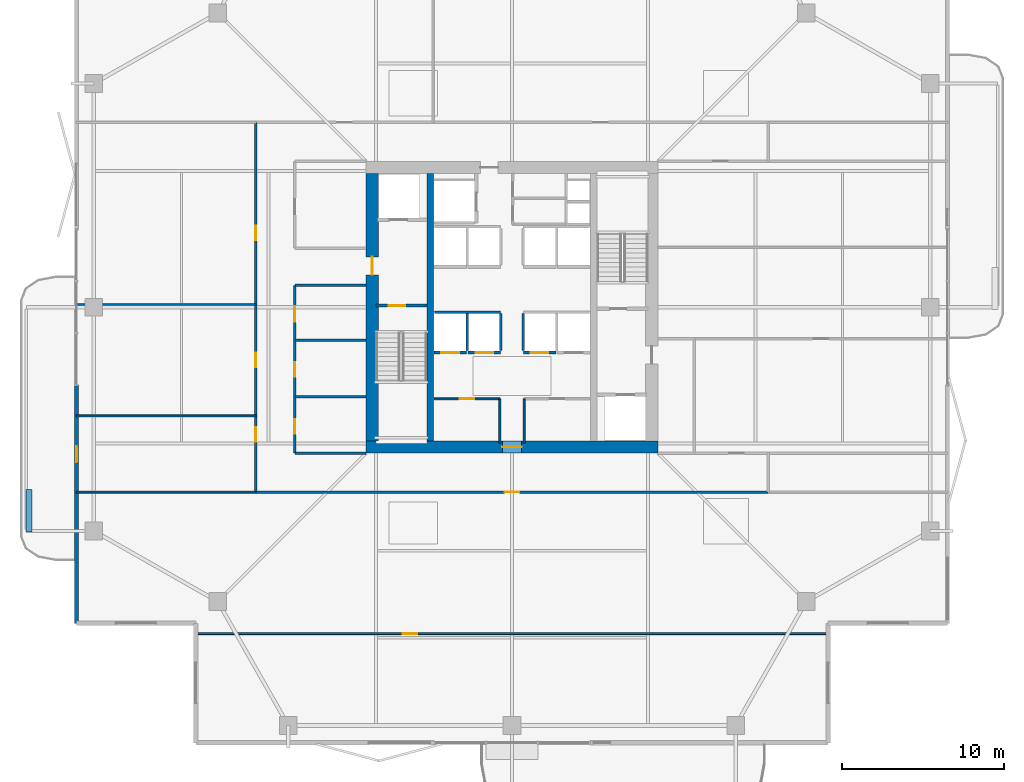
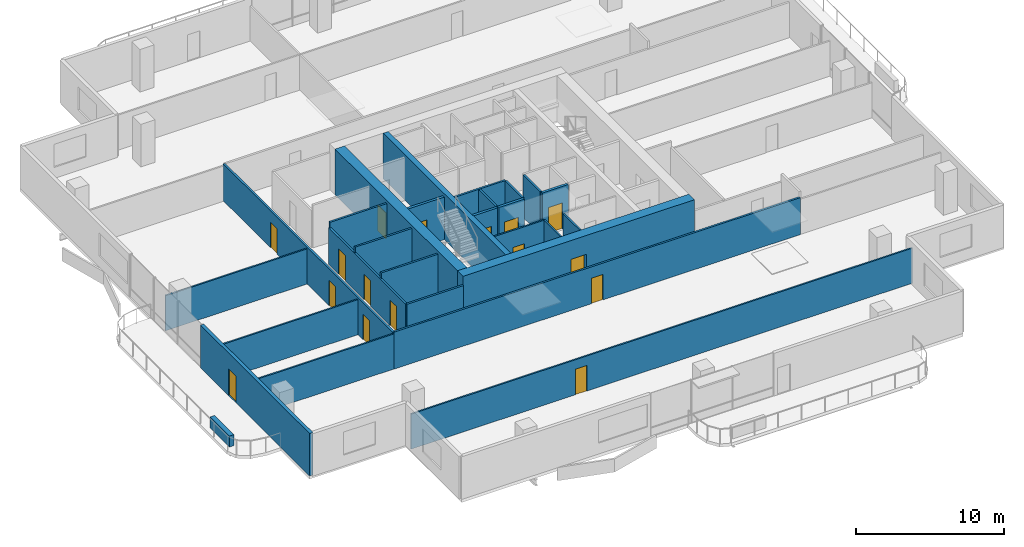
# One storey, part 17 of 24: 27 walls, 16 doors, 16 openings.
"""IFC4 building model written with IfcOpenShell, lengths in metres."""

from ifc_helpers import new_model, si_unit, direction, frame, frame_2d, origin, place, context, subcontext, project, spatial, rectangle, extrude, material, layer, layer_set, type_object, element, fill, save


model = new_model("IFC4")

# Units and contexts
model_context = context("Model", 3, precision=1e-05, world=origin(), true_north=direction((0.0, 1.0)))
body_context = subcontext(model_context, "Body", "Model", "MODEL_VIEW")
ifc_project = project(units=[si_unit("LENGTHUNIT", "METRE"), si_unit("AREAUNIT", "SQUARE_METRE"), si_unit("VOLUMEUNIT", "CUBIC_METRE"), si_unit("PLANEANGLEUNIT", "RADIAN"), si_unit("MASSUNIT", "GRAM", prefix="KILO")], contexts=[model_context])

# Site, building, storey
site_placement = place(None, origin())
site = spatial("IfcSite", under=ifc_project, at=site_placement, CompositionType="ELEMENT")
building_placement = place(site_placement, origin())
building = spatial("IfcBuilding", under=site, at=building_placement, Name="Belovzor Exchange Tower", CompositionType="ELEMENT")
storey_placement = place(building_placement, frame((0.0, 0.0, 222.449951171875)))
storey = spatial("IfcBuildingStorey", under=building, at=storey_placement, Name="L55", CompositionType="ELEMENT", Elevation=222.449951171875)

# Wall, opening, door
ifc_material_1 = material(Name="Acoustic Plasterboard on Galvanised Studs", Category="gypsum")
ifc_layer_1 = layer(ifc_material_1, 0.1201171875)
ifc_layer_set_1 = layer_set([ifc_layer_1], Name="Acoustic Plasterboard on Galvanised Studs")
wall_type_1 = type_object("IfcWallType", Name="Acoustic Double-Stud Partition Wall 120", PredefinedType="PARTITIONING", material=ifc_layer_set_1)
wall_1_placement = place(storey_placement, frame((9.300048828125, 8.6650390625, 0.0), z_axis=(0.0, 0.0, 1.0), x_axis=(1.0, 0.0, 0.0)))
wall_1 = element("IfcWall", 1, at=wall_1_placement, inside=storey, type_object=wall_type_1, Name="W-P120 Partition Wall W-L55-SHDIV-0", PredefinedType="PARTITIONING", context=body_context, shape_type="SweptSolid", body=[
    extrude(rectangle(XDim=39.0, YDim=0.1201171875, at=frame_2d((19.5, 0.0))), origin(), (0.0, 0.0, 1.0), 2.885009765625),
])
opening_1_placement = place(wall_1_placement, frame((12.76708984375, 0.0, 0.0)))
opening_1 = element("IfcOpeningElement", 2, at=opening_1_placement, cuts=wall_1, Name="Opening D-INT-090", PredefinedType="OPENING", context=body_context, shape_type="SweptSolid", body=[
    extrude(rectangle(XDim=0.89990234375, YDim=2.10009765625, at=frame_2d((0.449951171875, 1.050048828125))), frame((0.0, 0.070068359375, 0.0), z_axis=(0.0, -1.0, 0.0), x_axis=(1.0, 0.0, 0.0)), (0.0, 0.0, 1.0), 0.14013671875),
])
ifc_material_2 = material(Name="Veneered Hardwood Acoustic Leaf", Category="wood")
door_type_1 = type_object("IfcDoorType", Name="Trading Suite Acoustic Single Door 900x2100", OperationType="NOTDEFINED", PredefinedType="DOOR", material=ifc_material_2)
door_1_placement = place(opening_1_placement, origin())
door_1 = element("IfcDoor", 3, at=door_1_placement, inside=storey, type_object=door_type_1, Name="D-INT-090 Trading Suite Acoustic Single Door 900x2100", OperationType="SINGLE_SWING_LEFT", OverallHeight=2.10009765625, OverallWidth=0.89990234375, PredefinedType="DOOR", context=body_context, shape_type="SweptSolid", body=[
    extrude(rectangle(XDim=0.89990234375, YDim=2.10009765625, at=frame_2d((0.449951171875, 1.050048828125))), frame((0.0, 0.02490234375, 0.0), z_axis=(0.0, -1.0, 0.0), x_axis=(1.0, 0.0, 0.0)), (0.0, 0.0, 1.0), 0.050048828125),
])
fill(opening_1, door_1)

# Walls
for number, where, z_axis, x_axis, name in (
    (4, (1.929931640625, 22.10009765625, 0.0), (0.0, 0.0, 1.0), (1.0, 0.0, 0.0), "W-P120 Partition Wall W-L55-WDIV-1"),
    (5, (1.929931640625, 28.968994140625, 0.0), (0.0, 0.0, 1.0), (1.0, 0.0, 0.0), "W-P120 Partition Wall W-L55-WDIV-2"),
    (6, (1.929931640625, 17.39990234375, 0.0), (0.0, 0.0, 1.0), (1.0, 0.0, 0.0), "W-P120 Partition Wall W-L55-END-SW"),
):
    element("IfcWall", number, at=place(storey_placement, frame(where, z_axis=z_axis, x_axis=x_axis)), inside=storey, type_object=wall_type_1, Name=name, PredefinedType="PARTITIONING", context=body_context, shape_type="SweptSolid", body=[
        extrude(rectangle(XDim=11.070068359375, YDim=0.1201171875, at=frame_2d((5.53515625, 0.0))), origin(), (0.0, 0.0, 1.0), 2.885009765625),
    ])

# Wall, opening, door
ifc_material_3 = material(Name="Fire-Rated Plasterboard on Galvanised Studs", Category="gypsum")
ifc_layer_2 = layer(ifc_material_3, 0.1201171875)
ifc_layer_set_2 = layer_set([ifc_layer_2], Name="Fire-Rated Plasterboard on Galvanised Studs")
wall_type_2 = type_object("IfcWallType", Name="Fire-Rated Double-Stud Partition Wall 120", PredefinedType="PARTITIONING", material=ifc_layer_set_2)
wall_2_placement = place(storey_placement, frame((24.0, 23.14990234375, 0.0), z_axis=(0.0, 0.0, 1.0), x_axis=(1.0, 0.0, 0.0)))
wall_2 = element("IfcWall", 7, at=wall_2_placement, inside=storey, type_object=wall_type_2, Name="W-P120F Partition Wall W-CRL-L55-WN", PredefinedType="PARTITIONING", context=body_context, shape_type="SweptSolid", body=[
    extrude(rectangle(XDim=4.050048828125, YDim=0.1201171875, at=frame_2d((2.02490234375, 0.0))), origin(), (0.0, 0.0, 1.0), 3.5),
])
opening_2_placement = place(wall_2_placement, frame((1.574951171875, 0.0, 0.0)))
opening_2 = element("IfcOpeningElement", 8, at=opening_2_placement, cuts=wall_2, Name="Opening D-FD60-090", PredefinedType="OPENING", context=body_context, shape_type="SweptSolid", body=[
    extrude(rectangle(XDim=0.89990234375, YDim=2.10009765625, at=frame_2d((0.449951171875, 1.050048828125))), frame((0.0, 0.070068359375, 0.0), z_axis=(0.0, -1.0, 0.0), x_axis=(1.0, 0.0, 0.0)), (0.0, 0.0, 1.0), 0.14013671875),
])
ifc_material_4 = material(Name="Acoustic Timber Fire Leaf", Category="wood")
door_type_2 = type_object("IfcDoorType", Name="Core Service & Restroom Fire Door 900x2100", OperationType="NOTDEFINED", PredefinedType="DOOR", material=ifc_material_4)
door_2_placement = place(opening_2_placement, origin())
door_2 = element("IfcDoor", 9, at=door_2_placement, inside=storey, type_object=door_type_2, Name="D-FD60-090 Core Service & Restroom Fire Door 900x2100", OperationType="SINGLE_SWING_LEFT", OverallHeight=2.10009765625, OverallWidth=0.89990234375, PredefinedType="DOOR", context=body_context, shape_type="SweptSolid", body=[
    extrude(rectangle(XDim=0.89990234375, YDim=2.10009765625, at=frame_2d((0.449951171875, 1.050048828125))), frame((0.0, 0.02490234375, 0.0), z_axis=(0.0, -1.0, 0.0), x_axis=(1.0, 0.0, 0.0)), (0.0, 0.0, 1.0), 0.050048828125),
])
fill(opening_2, door_2)

# Walls
for number, where, z_axis, x_axis, name in (
    (10, (28.050048828125, 20.39990234375, 0.0), (0.0, 0.0, 1.0), (0.0, 1.0, 0.0), "W-P120F Partition Wall W-CRL-L55-WE"),
    (11, (29.550048828125, 20.39990234375, 0.0), (0.0, 0.0, 1.0), (0.0, 1.0, 0.0), "W-P120F Partition Wall W-CRL-L55-EW"),
):
    element("IfcWall", number, at=place(storey_placement, frame(where, z_axis=z_axis, x_axis=x_axis)), inside=storey, type_object=wall_type_2, Name=name, PredefinedType="PARTITIONING", context=body_context, shape_type="SweptSolid", body=[
        extrude(rectangle(XDim=2.75, YDim=0.1201171875, at=frame_2d((1.375, 0.0))), origin(), (0.0, 0.0, 1.0), 3.5),
    ])
ifc_material_5 = material(Name="Fire-Rated Gypsum Block and Mineral Wool", Category="gypsum")
ifc_layer_3 = layer(ifc_material_5, 0.14990234375)
ifc_layer_set_3 = layer_set([ifc_layer_3], Name="Fire-Rated Gypsum Block and Mineral Wool")
wall_type_3 = type_object("IfcWallType", Name="Fire-Rated Gypsum Block Corridor Wall 150", PredefinedType="PARTITIONING", material=ifc_layer_set_3)
wall_3_placement = place(storey_placement, frame((15.39990234375, 19.800048828125, 0.0), z_axis=(0.0, 0.0, 1.0), x_axis=(1.0, 0.0, 0.0)))
element("IfcWall", 12, at=wall_3_placement, inside=storey, type_object=wall_type_3, Name="W-P150 Partition Wall W-L55-WIC-S", PredefinedType="PARTITIONING", context=body_context, shape_type="SweptSolid", body=[
    extrude(rectangle(XDim=4.400146484375, YDim=0.14990234375, at=frame_2d((2.2001953125, 0.0))), origin(), (0.0, 0.0, 1.0), 3.03515625),
])
for number, where, z_axis, x_axis, name in (
    (13, (15.39990234375, 23.27490234375, 0.0), (0.0, 0.0, 1.0), (1.0, 0.0, 0.0), "W-P150 Partition Wall W-L55-WIC-D1"),
    (14, (15.39990234375, 26.77490234375, 0.0), (0.0, 0.0, 1.0), (1.0, 0.0, 0.0), "W-P150 Partition Wall W-L55-WIC-D2"),
    (15, (15.39990234375, 30.14990234375, 0.0), (0.0, 0.0, 1.0), (1.0, 0.0, 0.0), "W-P150 Partition Wall W-L55-WIC-N"),
):
    element("IfcWall", number, at=place(storey_placement, frame(where, z_axis=z_axis, x_axis=x_axis)), inside=storey, type_object=wall_type_3, Name=name, PredefinedType="PARTITIONING", context=body_context, shape_type="SweptSolid", body=[
        extrude(rectangle(XDim=4.400146484375, YDim=0.14990234375, at=frame_2d((2.2001953125, 0.0))), origin(), (0.0, 0.0, 1.0), 3.5),
    ])

# Wall, openings, doors
wall_4_placement = place(storey_placement, frame((15.39990234375, 19.800048828125, 0.0), z_axis=(0.0, 0.0, 1.0), x_axis=(0.0, 1.0, 0.0)))
wall_4 = element("IfcWall", 16, at=wall_4_placement, inside=storey, type_object=wall_type_3, Name="W-P150 Partition Wall W-L55-WIE-S", PredefinedType="PARTITIONING", context=body_context, shape_type="SweptSolid", body=[
    extrude(rectangle(XDim=10.349853515625, YDim=0.14990234375, at=frame_2d((5.1748046875, 0.0))), origin(), (0.0, 0.0, 1.0), 3.03515625),
])
opening_3_placement = place(wall_4_placement, frame((1.199951171875, 0.0, 0.0)))
opening_3 = element("IfcOpeningElement", 17, at=opening_3_placement, cuts=wall_4, Name="Opening D-FD60-090", PredefinedType="OPENING", context=body_context, shape_type="SweptSolid", body=[
    extrude(rectangle(XDim=0.89990234375, YDim=2.10009765625, at=frame_2d((0.449951171875, 1.050048828125))), frame((0.0, 0.0849609375, 0.0), z_axis=(0.0, -1.0, 0.0), x_axis=(1.0, 0.0, 0.0)), (0.0, 0.0, 1.0), 0.169921875),
])
opening_4_placement = place(wall_4_placement, frame((4.699951171875, 0.0, 0.0)))
opening_4 = element("IfcOpeningElement", 18, at=opening_4_placement, cuts=wall_4, Name="Opening D-FD60-090", PredefinedType="OPENING", context=body_context, shape_type="SweptSolid", body=[
    extrude(rectangle(XDim=0.89990234375, YDim=2.10009765625, at=frame_2d((0.449951171875, 1.050048828125))), frame((0.0, 0.0849609375, 0.0), z_axis=(0.0, -1.0, 0.0), x_axis=(1.0, 0.0, 0.0)), (0.0, 0.0, 1.0), 0.169921875),
])
opening_5_placement = place(wall_4_placement, frame((8.10009765625, 0.0, 0.0)))
opening_5 = element("IfcOpeningElement", 19, at=opening_5_placement, cuts=wall_4, Name="Opening D-FD60-095", PredefinedType="OPENING", context=body_context, shape_type="SweptSolid", body=[
    extrude(rectangle(XDim=0.949951171875, YDim=2.10009765625, at=frame_2d((0.47509765625, 1.050048828125))), frame((0.0, 0.0849609375, 0.0), z_axis=(0.0, -1.0, 0.0), x_axis=(1.0, 0.0, 0.0)), (0.0, 0.0, 1.0), 0.169921875),
])
ifc_material_6 = material(Name="Moisture-Resistant Timber Fire Leaf", Category="wood")
door_type_3 = type_object("IfcDoorType", Name="Accessible Restroom Wide Fire Door 950x2100", OperationType="NOTDEFINED", PredefinedType="DOOR", material=ifc_material_6)
door_3_placement = place(opening_5_placement, origin())
door_3 = element("IfcDoor", 20, at=door_3_placement, inside=storey, type_object=door_type_3, Name="D-FD60-095 Accessible Restroom Wide Fire Door 950x2100", OperationType="SINGLE_SWING_LEFT", OverallHeight=2.10009765625, OverallWidth=0.949951171875, PredefinedType="DOOR", context=body_context, shape_type="SweptSolid", body=[
    extrude(rectangle(XDim=0.949951171875, YDim=2.10009765625, at=frame_2d((0.47509765625, 1.050048828125))), frame((0.0, 0.02490234375, 0.0), z_axis=(0.0, -1.0, 0.0), x_axis=(1.0, 0.0, 0.0)), (0.0, 0.0, 1.0), 0.050048828125),
])
fill(opening_5, door_3)
door_4_placement = place(opening_3_placement, origin())
door_4 = element("IfcDoor", 21, at=door_4_placement, inside=storey, type_object=door_type_2, Name="D-FD60-090 Core Service & Restroom Fire Door 900x2100", OperationType="SINGLE_SWING_LEFT", OverallHeight=2.10009765625, OverallWidth=0.89990234375, PredefinedType="DOOR", context=body_context, shape_type="SweptSolid", body=[
    extrude(rectangle(XDim=0.89990234375, YDim=2.10009765625, at=frame_2d((0.449951171875, 1.050048828125))), frame((0.0, 0.02490234375, 0.0), z_axis=(0.0, -1.0, 0.0), x_axis=(1.0, 0.0, 0.0)), (0.0, 0.0, 1.0), 0.050048828125),
])
fill(opening_3, door_4)
door_5_placement = place(opening_4_placement, origin())
door_5 = element("IfcDoor", 22, at=door_5_placement, inside=storey, type_object=door_type_2, Name="D-FD60-090 Core Service & Restroom Fire Door 900x2100", OperationType="SINGLE_SWING_RIGHT", OverallHeight=2.10009765625, OverallWidth=0.89990234375, PredefinedType="DOOR", context=body_context, shape_type="SweptSolid", body=[
    extrude(rectangle(XDim=0.89990234375, YDim=2.10009765625, at=frame_2d((0.449951171875, 1.050048828125))), frame((0.0, 0.02490234375, 0.0), z_axis=(0.0, -1.0, 0.0), x_axis=(1.0, 0.0, 0.0)), (0.0, 0.0, 1.0), 0.050048828125),
])
fill(opening_4, door_5)

# Wall, opening, door
wall_5_placement = place(storey_placement, frame((13.0, 17.39990234375, 0.0), z_axis=(0.0, 0.0, 1.0), x_axis=(1.0, 0.0, 0.0)))
wall_5 = element("IfcWall", 23, at=wall_5_placement, inside=storey, type_object=wall_type_3, Name="W-P150 Partition Wall W-L55-CS", PredefinedType="PARTITIONING", context=body_context, shape_type="SweptSolid", body=[
    extrude(rectangle(XDim=31.60009765625, YDim=0.14990234375, at=frame_2d((15.800048828125, 0.0))), origin(), (0.0, 0.0, 1.0), 3.03515625),
])
opening_6_placement = place(wall_5_placement, frame((15.35009765625, 0.0, 0.0)))
opening_6 = element("IfcOpeningElement", 24, at=opening_6_placement, cuts=wall_5, Name="Opening D-INT-090", PredefinedType="OPENING", context=body_context, shape_type="SweptSolid", body=[
    extrude(rectangle(XDim=0.89990234375, YDim=2.10009765625, at=frame_2d((0.449951171875, 1.050048828125))), frame((0.0, 0.0849609375, 0.0), z_axis=(0.0, -1.0, 0.0), x_axis=(1.0, 0.0, 0.0)), (0.0, 0.0, 1.0), 0.169921875),
])
door_6_placement = place(opening_6_placement, origin())
door_6 = element("IfcDoor", 25, at=door_6_placement, inside=storey, type_object=door_type_1, Name="D-INT-090 Trading Suite Acoustic Single Door 900x2100", OperationType="SINGLE_SWING_RIGHT", OverallHeight=2.10009765625, OverallWidth=0.89990234375, PredefinedType="DOOR", context=body_context, shape_type="SweptSolid", body=[
    extrude(rectangle(XDim=0.89990234375, YDim=2.10009765625, at=frame_2d((0.449951171875, 1.050048828125))), frame((0.0, 0.02490234375, 0.0), z_axis=(0.0, -1.0, 0.0), x_axis=(1.0, 0.0, 0.0)), (0.0, 0.0, 1.0), 0.050048828125),
])
fill(opening_6, door_6)

# Wall, openings, doors
wall_6_placement = place(storey_placement, frame((13.0, 17.39990234375, 0.0), z_axis=(0.0, 0.0, 1.0), x_axis=(0.0, 1.0, 0.0)))
wall_6 = element("IfcWall", 26, at=wall_6_placement, inside=storey, type_object=wall_type_3, Name="W-P150 Partition Wall W-L55-CWO", PredefinedType="PARTITIONING", context=body_context, shape_type="SweptSolid", body=[
    extrude(rectangle(XDim=22.800048828125, YDim=0.14990234375, at=frame_2d((11.39990234375, 0.0))), origin(), (0.0, 0.0, 1.0), 3.03515625),
])
opening_7_placement = place(wall_6_placement, frame((3.10009765625, 0.0, 0.0)))
opening_7 = element("IfcOpeningElement", 27, at=opening_7_placement, cuts=wall_6, Name="Opening D-INT-090", PredefinedType="OPENING", context=body_context, shape_type="SweptSolid", body=[
    extrude(rectangle(XDim=0.89990234375, YDim=2.10009765625, at=frame_2d((0.449951171875, 1.050048828125))), frame((0.0, 0.0849609375, 0.0), z_axis=(0.0, -1.0, 0.0), x_axis=(1.0, 0.0, 0.0)), (0.0, 0.0, 1.0), 0.169921875),
])
opening_8_placement = place(wall_6_placement, frame((7.68505859375, 0.0, 0.0)))
opening_8 = element("IfcOpeningElement", 28, at=opening_8_placement, cuts=wall_6, Name="Opening D-INT-090", PredefinedType="OPENING", context=body_context, shape_type="SweptSolid", body=[
    extrude(rectangle(XDim=0.89990234375, YDim=2.10009765625, at=frame_2d((0.449951171875, 1.050048828125))), frame((0.0, 0.0849609375, 0.0), z_axis=(0.0, -1.0, 0.0), x_axis=(1.0, 0.0, 0.0)), (0.0, 0.0, 1.0), 0.169921875),
])
opening_9_placement = place(wall_6_placement, frame((15.534912109375, 0.0, 0.0)))
opening_9 = element("IfcOpeningElement", 29, at=opening_9_placement, cuts=wall_6, Name="Opening D-INT-090", PredefinedType="OPENING", context=body_context, shape_type="SweptSolid", body=[
    extrude(rectangle(XDim=0.89990234375, YDim=2.10009765625, at=frame_2d((0.449951171875, 1.050048828125))), frame((0.0, 0.0849609375, 0.0), z_axis=(0.0, -1.0, 0.0), x_axis=(1.0, 0.0, 0.0)), (0.0, 0.0, 1.0), 0.169921875),
])
door_7_placement = place(opening_7_placement, origin())
door_7 = element("IfcDoor", 30, at=door_7_placement, inside=storey, type_object=door_type_1, Name="D-INT-090 Trading Suite Acoustic Single Door 900x2100", OperationType="SINGLE_SWING_LEFT", OverallHeight=2.10009765625, OverallWidth=0.89990234375, PredefinedType="DOOR", context=body_context, shape_type="SweptSolid", body=[
    extrude(rectangle(XDim=0.89990234375, YDim=2.10009765625, at=frame_2d((0.449951171875, 1.050048828125))), frame((0.0, 0.02490234375, 0.0), z_axis=(0.0, -1.0, 0.0), x_axis=(1.0, 0.0, 0.0)), (0.0, 0.0, 1.0), 0.050048828125),
])
fill(opening_7, door_7)
door_8_placement = place(opening_8_placement, origin())
door_8 = element("IfcDoor", 31, at=door_8_placement, inside=storey, type_object=door_type_1, Name="D-INT-090 Trading Suite Acoustic Single Door 900x2100", OperationType="SINGLE_SWING_LEFT", OverallHeight=2.10009765625, OverallWidth=0.89990234375, PredefinedType="DOOR", context=body_context, shape_type="SweptSolid", body=[
    extrude(rectangle(XDim=0.89990234375, YDim=2.10009765625, at=frame_2d((0.449951171875, 1.050048828125))), frame((0.0, 0.02490234375, 0.0), z_axis=(0.0, -1.0, 0.0), x_axis=(1.0, 0.0, 0.0)), (0.0, 0.0, 1.0), 0.050048828125),
])
fill(opening_8, door_8)
door_9_placement = place(opening_9_placement, origin())
door_9 = element("IfcDoor", 32, at=door_9_placement, inside=storey, type_object=door_type_1, Name="D-INT-090 Trading Suite Acoustic Single Door 900x2100", OperationType="SINGLE_SWING_LEFT", OverallHeight=2.10009765625, OverallWidth=0.89990234375, PredefinedType="DOOR", context=body_context, shape_type="SweptSolid", body=[
    extrude(rectangle(XDim=0.89990234375, YDim=2.10009765625, at=frame_2d((0.449951171875, 1.050048828125))), frame((0.0, 0.02490234375, 0.0), z_axis=(0.0, -1.0, 0.0), x_axis=(1.0, 0.0, 0.0)), (0.0, 0.0, 1.0), 0.050048828125),
])
fill(opening_9, door_9)

# Wall, opening, door
ifc_material_7 = material(Name="Precast concrete C40/50", Category="concrete")
ifc_layer_4 = layer(ifc_material_7, 0.260009765625)
ifc_layer_set_4 = layer_set([ifc_layer_4], Name="Precast concrete C40/50")
wall_type_4 = type_object("IfcWallType", Name="Precast Concrete Perimeter Loggia Frame Wall 260", PredefinedType="SOLIDWALL", material=ifc_layer_set_4)
wall_7_placement = place(storey_placement, frame((1.929931640625, 9.300048828125, 0.0), z_axis=(0.0, 0.0, 1.0), x_axis=(0.0, 1.0, 0.0)))
wall_7 = element("IfcWall", 33, at=wall_7_placement, inside=storey, type_object=wall_type_4, Name="W-EXT260 Precast Concrete Perimeter Loggia Frame Wall 260 L55", PredefinedType="SOLIDWALL", context=body_context, shape_type="SweptSolid", body=[
    extrude(rectangle(XDim=14.699951171875, YDim=0.260009765625, at=frame_2d((7.35009765625, 0.0))), origin(), (0.0, 0.0, 1.0), 3.5),
])
opening_10_placement = place(wall_7_placement, frame((9.93408203125, 0.0, 0.0)))
opening_10 = element("IfcOpeningElement", 34, at=opening_10_placement, cuts=wall_7, Name="Opening D-BAL100", PredefinedType="OPENING", context=body_context, shape_type="SweptSolid", body=[
    extrude(rectangle(XDim=1.0, YDim=2.199951171875, at=frame_2d((0.5, 1.10009765625))), frame((0.0, 0.139892578125, 0.0), z_axis=(0.0, -1.0, 0.0), x_axis=(1.0, 0.0, 0.0)), (0.0, 0.0, 1.0), 0.280029296875),
])
ifc_material_8 = material(Name="Thermally Broken Anodised Aluminium and Laminated Glass", Category="aluminium")
door_type_4 = type_object("IfcDoorType", Name="Planted Loggia Terrace Glazed Door 1000x2200", OperationType="SINGLE_SWING_LEFT", PredefinedType="DOOR", material=ifc_material_8)
door_10_placement = place(opening_10_placement, origin())
door_10 = element("IfcDoor", 35, at=door_10_placement, inside=storey, type_object=door_type_4, Name="D-BAL100 Balcony Terrace Door L55 W", OperationType="SINGLE_SWING_RIGHT", OverallHeight=2.199951171875, OverallWidth=1.0, PredefinedType="DOOR", context=body_context, shape_type="SweptSolid", body=[
    extrude(rectangle(XDim=1.0, YDim=2.199951171875, at=frame_2d((0.5, 1.10009765625))), frame((0.0, 0.02490234375, 0.0), z_axis=(0.0, -1.0, 0.0), x_axis=(1.0, 0.0, 0.0)), (0.0, 0.0, 1.0), 0.050048828125),
])
fill(opening_10, door_10)

# Walls
ifc_material_9 = material(Name="Precast concrete C40/50", Category="concrete")
ifc_layer_5 = layer(ifc_material_9, 0.35009765625)
ifc_layer_set_5 = layer_set([ifc_layer_5], Name="Precast concrete C40/50")
wall_type_5 = type_object("IfcWallType", Name="Precast Concrete Structural Tree Planter Trough 350", PredefinedType="PARAPET", material=ifc_layer_set_5)
wall_8_placement = place(storey_placement, frame((-1.0, 14.949951171875, 0.0), z_axis=(0.0, 0.0, 1.0), x_axis=(0.0, 1.0, 0.0)))
element("IfcWall", 36, at=wall_8_placement, inside=storey, type_object=wall_type_5, Name="PT-350 Precast Concrete Structural Tree Planter Trough 350 L55", PredefinedType="PARAPET", context=body_context, shape_type="SweptSolid", body=[
    extrude(rectangle(XDim=2.60009765625, YDim=0.35009765625, at=frame_2d((1.300048828125, 0.0))), origin(), (0.0, 0.0, 1.0), 0.900146484375),
])
ifc_material_10 = material(Name="Concrete C50/60", Category="concrete")
ifc_layer_6 = layer(ifc_material_10, 0.39990234375)
ifc_layer_set_6 = layer_set([ifc_layer_6], Name="Concrete C50/60")
wall_type_6 = type_object("IfcWallType", Name="Reinforced Concrete Core Internal Web Wall 400", PredefinedType="SHEAR", material=ifc_layer_set_6)
wall_9_placement = place(storey_placement, frame((23.75, 20.550048828125, 0.0), z_axis=(0.0, 0.0, 1.0), x_axis=(0.0, 1.0, 0.0)))
element("IfcWall", 37, at=wall_9_placement, inside=storey, type_object=wall_type_6, Name="CW-W040 Core Internal Web Wall L55 WL", PredefinedType="SHEAR", context=body_context, shape_type="SweptSolid", body=[
    extrude(rectangle(XDim=16.5, YDim=0.39990234375, at=frame_2d((8.25, 0.0))), origin(), (0.0, 0.0, 1.0), 3.75),
])
ifc_material_11 = material(Name="Concrete C50/60", Category="concrete")
ifc_layer_7 = layer(ifc_material_11, 0.14990234375)
ifc_layer_set_7 = layer_set([ifc_layer_7], Name="Concrete C50/60")
wall_type_7 = type_object("IfcWallType", Name="Reinforced Concrete Core Riser Shear Wall 150", PredefinedType="SHEAR", material=ifc_layer_set_7)
wall_10_placement = place(storey_placement, frame((24.02001953125, 28.5, 0.0), z_axis=(0.0, 0.0, 1.0), x_axis=(1.0, 0.0, 0.0)))
element("IfcWall", 38, at=wall_10_placement, inside=storey, type_object=wall_type_7, Name="W-C150S Core Shaft Wall W-SHB-L55-PLM-NW", PredefinedType="SHEAR", context=body_context, shape_type="SweptSolid", body=[
    extrude(rectangle(XDim=4.080078125, YDim=0.14990234375, at=frame_2d((2.0400390625, 0.0))), origin(), (0.0, 0.0, 1.0), 3.5),
])
for number, where, z_axis, x_axis, name in (
    (39, (26.050048828125, 26.1201171875, 0.0), (0.0, 0.0, 1.0), (0.0, 1.0, 0.0), "W-C150S Core Shaft Wall W-SHD-L55-PLM-1"),
    (40, (28.10009765625, 26.1201171875, 0.0), (0.0, 0.0, 1.0), (0.0, 1.0, 0.0), "W-C150S Core Shaft Wall W-SHD-L55-PLM-2"),
    (41, (29.5, 26.1201171875, 0.0), (0.0, 0.0, 1.0), (0.0, 1.0, 0.0), "W-C150S Core Shaft Wall W-SHD-L55-PLM-3"),
):
    element("IfcWall", number, at=place(storey_placement, frame(where, z_axis=z_axis, x_axis=x_axis)), inside=storey, type_object=wall_type_7, Name=name, PredefinedType="SHEAR", context=body_context, shape_type="SweptSolid", body=[
        extrude(rectangle(XDim=2.27978515625, YDim=0.14990234375, at=frame_2d((1.139892578125, 0.0))), origin(), (0.0, 0.0, 1.0), 3.5),
    ])

# Wall, opening, door
ifc_material_12 = material(Name="Concrete C50/60", Category="concrete")
ifc_layer_8 = layer(ifc_material_12, 0.199951171875)
ifc_layer_set_8 = layer_set([ifc_layer_8], Name="Concrete C50/60")
wall_type_8 = type_object("IfcWallType", Name="Reinforced Concrete Core Shaft Shear Wall 200", PredefinedType="SHEAR", material=ifc_layer_set_8)
wall_11_placement = place(storey_placement, frame((20.39990234375, 28.89990234375, 0.0), z_axis=(0.0, 0.0, 1.0), x_axis=(1.0, 0.0, 0.0)))
wall_11 = element("IfcWall", 42, at=wall_11_placement, inside=storey, type_object=wall_type_8, Name="W-C200S Core Shaft Wall W-CORE-L55-FFLW1", PredefinedType="SHEAR", context=body_context, shape_type="SweptSolid", body=[
    extrude(rectangle(XDim=3.150146484375, YDim=0.199951171875, at=frame_2d((1.5751953125, 0.0))), origin(), (0.0, 0.0, 1.0), 3.5),
])
opening_11_placement = place(wall_11_placement, frame((0.800048828125, 0.0, 0.0)))
opening_11 = element("IfcOpeningElement", 43, at=opening_11_placement, cuts=wall_11, Name="Opening D-FD90-100", PredefinedType="OPENING", context=body_context, shape_type="SweptSolid", body=[
    extrude(rectangle(XDim=1.0, YDim=2.10009765625, at=frame_2d((0.5, 1.050048828125))), frame((0.0, 0.10986328125, 0.0), z_axis=(0.0, -1.0, 0.0), x_axis=(1.0, 0.0, 0.0)), (0.0, 0.0, 1.0), 0.219970703125),
])
ifc_material_13 = material(Name="Fire-Rated Galvanised Steel Leaf", Category="steel")
door_type_5 = type_object("IfcDoorType", Name="Protected Stairwell Single Fire Door 1000x2100", OperationType="NOTDEFINED", PredefinedType="DOOR", material=ifc_material_13)
door_11_placement = place(opening_11_placement, origin())
door_11 = element("IfcDoor", 44, at=door_11_placement, inside=storey, type_object=door_type_5, Name="D-FD90-100 Protected Stairwell Single Fire Door 1000x2100", OperationType="SINGLE_SWING_RIGHT", OverallHeight=2.10009765625, OverallWidth=1.0, PredefinedType="DOOR", context=body_context, shape_type="SweptSolid", body=[
    extrude(rectangle(XDim=1.0, YDim=2.10009765625, at=frame_2d((0.5, 1.050048828125))), frame((0.0, 0.02490234375, 0.0), z_axis=(0.0, -1.0, 0.0), x_axis=(1.0, 0.0, 0.0)), (0.0, 0.0, 1.0), 0.050048828125),
])
fill(opening_11, door_11)

wall_12_placement = place(storey_placement, frame((24.0, 26.0, 0.0), z_axis=(0.0, 0.0, 1.0), x_axis=(1.0, 0.0, 0.0)))
wall_12 = element("IfcWall", 45, at=wall_12_placement, inside=storey, type_object=wall_type_8, Name="W-C200S Core Shaft Wall W-SH-L55-PL-M1", PredefinedType="SHEAR", context=body_context, shape_type="SweptSolid", body=[
    extrude(rectangle(XDim=2.0, YDim=0.199951171875, at=frame_2d((1.0, 0.0))), origin(), (0.0, 0.0, 1.0), 3.5),
])
opening_12_placement = place(wall_12_placement, frame((0.449951171875, 0.0, 0.0)))
opening_12 = element("IfcOpeningElement", 46, at=opening_12_placement, cuts=wall_12, Name="Opening LD-110", PredefinedType="OPENING", context=body_context, shape_type="SweptSolid", body=[
    extrude(rectangle(XDim=1.10009765625, YDim=2.14990234375, at=frame_2d((0.550048828125, 1.074951171875))), frame((0.0, 0.10986328125, 0.0), z_axis=(0.0, -1.0, 0.0), x_axis=(1.0, 0.0, 0.0)), (0.0, 0.0, 1.0), 0.219970703125),
])
ifc_material_14 = material(Name="Stainless Steel Grade 304", Category="steel")
door_type_6 = type_object("IfcDoorType", Name="Automated Stainless Steel Lift Landing Door 1100x2150", OperationType="SLIDING_TO_RIGHT", PredefinedType="DOOR", material=ifc_material_14)
door_12_placement = place(opening_12_placement, origin())
door_12 = element("IfcDoor", 47, at=door_12_placement, inside=storey, type_object=door_type_6, Name="LD-110 Automated Stainless Steel Lift Landing Door 1100x2150", OperationType="SLIDING_TO_RIGHT", OverallHeight=2.14990234375, OverallWidth=1.10009765625, PredefinedType="DOOR", context=body_context, shape_type="SweptSolid", body=[
    extrude(rectangle(XDim=1.10009765625, YDim=2.14990234375, at=frame_2d((0.550048828125, 1.074951171875))), frame((0.0, 0.02490234375, 0.0), z_axis=(0.0, -1.0, 0.0), x_axis=(1.0, 0.0, 0.0)), (0.0, 0.0, 1.0), 0.050048828125),
])
fill(opening_12, door_12)

wall_13_placement = place(storey_placement, frame((26.10009765625, 26.0, 0.0), z_axis=(0.0, 0.0, 1.0), x_axis=(1.0, 0.0, 0.0)))
wall_13 = element("IfcWall", 48, at=wall_13_placement, inside=storey, type_object=wall_type_8, Name="W-C200S Core Shaft Wall W-SH-L55-PL-M2", PredefinedType="SHEAR", context=body_context, shape_type="SweptSolid", body=[
    extrude(rectangle(XDim=2.0, YDim=0.199951171875, at=frame_2d((1.0, 0.0))), origin(), (0.0, 0.0, 1.0), 3.5),
])
opening_13_placement = place(wall_13_placement, frame((0.449951171875, 0.0, 0.0)))
opening_13 = element("IfcOpeningElement", 49, at=opening_13_placement, cuts=wall_13, Name="Opening LD-110", PredefinedType="OPENING", context=body_context, shape_type="SweptSolid", body=[
    extrude(rectangle(XDim=1.10009765625, YDim=2.14990234375, at=frame_2d((0.550048828125, 1.074951171875))), frame((0.0, 0.10986328125, 0.0), z_axis=(0.0, -1.0, 0.0), x_axis=(1.0, 0.0, 0.0)), (0.0, 0.0, 1.0), 0.219970703125),
])
door_13_placement = place(opening_13_placement, origin())
door_13 = element("IfcDoor", 50, at=door_13_placement, inside=storey, type_object=door_type_6, Name="LD-110 Automated Stainless Steel Lift Landing Door 1100x2150", OperationType="SLIDING_TO_RIGHT", OverallHeight=2.14990234375, OverallWidth=1.10009765625, PredefinedType="DOOR", context=body_context, shape_type="SweptSolid", body=[
    extrude(rectangle(XDim=1.10009765625, YDim=2.14990234375, at=frame_2d((0.550048828125, 1.074951171875))), frame((0.0, 0.02490234375, 0.0), z_axis=(0.0, -1.0, 0.0), x_axis=(1.0, 0.0, 0.0)), (0.0, 0.0, 1.0), 0.050048828125),
])
fill(opening_13, door_13)

wall_14_placement = place(storey_placement, frame((29.5, 26.0, 0.0), z_axis=(0.0, 0.0, 1.0), x_axis=(1.0, 0.0, 0.0)))
wall_14 = element("IfcWall", 51, at=wall_14_placement, inside=storey, type_object=wall_type_8, Name="W-C200S Core Shaft Wall W-SH-L55-PL-M3", PredefinedType="SHEAR", context=body_context, shape_type="SweptSolid", body=[
    extrude(rectangle(XDim=2.0, YDim=0.199951171875, at=frame_2d((1.0, 0.0))), origin(), (0.0, 0.0, 1.0), 3.5),
])
opening_14_placement = place(wall_14_placement, frame((0.449951171875, 0.0, 0.0)))
opening_14 = element("IfcOpeningElement", 52, at=opening_14_placement, cuts=wall_14, Name="Opening LD-110", PredefinedType="OPENING", context=body_context, shape_type="SweptSolid", body=[
    extrude(rectangle(XDim=1.10009765625, YDim=2.14990234375, at=frame_2d((0.550048828125, 1.074951171875))), frame((0.0, 0.10986328125, 0.0), z_axis=(0.0, -1.0, 0.0), x_axis=(1.0, 0.0, 0.0)), (0.0, 0.0, 1.0), 0.219970703125),
])
door_14_placement = place(opening_14_placement, origin())
door_14 = element("IfcDoor", 53, at=door_14_placement, inside=storey, type_object=door_type_6, Name="LD-110 Automated Stainless Steel Lift Landing Door 1100x2150", OperationType="SLIDING_TO_RIGHT", OverallHeight=2.14990234375, OverallWidth=1.10009765625, PredefinedType="DOOR", context=body_context, shape_type="SweptSolid", body=[
    extrude(rectangle(XDim=1.10009765625, YDim=2.14990234375, at=frame_2d((0.550048828125, 1.074951171875))), frame((0.0, 0.02490234375, 0.0), z_axis=(0.0, -1.0, 0.0), x_axis=(1.0, 0.0, 0.0)), (0.0, 0.0, 1.0), 0.050048828125),
])
fill(opening_14, door_14)

ifc_material_15 = material(Name="Concrete C50/60", Category="concrete")
ifc_layer_9 = layer(ifc_material_15, 0.75)
ifc_layer_set_9 = layer_set([ifc_layer_9], Name="Concrete C50/60")
wall_type_9 = type_object("IfcWallType", Name="Reinforced Concrete Core Shear Wall 750", PredefinedType="SHEAR", material=ifc_layer_set_9)
wall_15_placement = place(storey_placement, frame((19.800048828125, 20.175048828125, 0.0), z_axis=(0.0, 0.0, 1.0), x_axis=(1.0, 0.0, 0.0)))
wall_15 = element("IfcWall", 54, at=wall_15_placement, inside=storey, type_object=wall_type_9, Name="CW-S075 Core Shear Wall L55 S", PredefinedType="SHEAR", context=body_context, shape_type="SweptSolid", body=[
    extrude(rectangle(XDim=18.0, YDim=0.75, at=frame_2d((9.0, 0.0))), origin(), (0.0, 0.0, 1.0), 3.75),
])
opening_15_placement = place(wall_15_placement, frame((8.39990234375, 0.0, 0.0)))
opening_15 = element("IfcOpeningElement", 55, at=opening_15_placement, cuts=wall_15, Name="Opening D-FD90-120", PredefinedType="OPENING", context=body_context, shape_type="SweptSolid", body=[
    extrude(rectangle(XDim=1.199951171875, YDim=2.199951171875, at=frame_2d((0.60009765625, 1.10009765625))), frame((0.0, 0.385009765625, 0.0), z_axis=(0.0, -1.0, 0.0), x_axis=(1.0, 0.0, 0.0)), (0.0, 0.0, 1.0), 0.77001953125),
])
ifc_material_16 = material(Name="Fire-Rated Galvanised Steel Leaf", Category="steel")
door_type_7 = type_object("IfcDoorType", Name="Heavy Plant & Foyer Fire Door 1200x2200", OperationType="NOTDEFINED", PredefinedType="DOOR", material=ifc_material_16)
door_15_placement = place(opening_15_placement, origin())
door_15 = element("IfcDoor", 56, at=door_15_placement, inside=storey, type_object=door_type_7, Name="D-FD90-120 Heavy Plant & Foyer Fire Door 1200x2200", OperationType="SINGLE_SWING_LEFT", OverallHeight=2.199951171875, OverallWidth=1.199951171875, PredefinedType="DOOR", context=body_context, shape_type="SweptSolid", body=[
    extrude(rectangle(XDim=1.199951171875, YDim=2.199951171875, at=frame_2d((0.60009765625, 1.10009765625))), frame((0.0, 0.02490234375, 0.0), z_axis=(0.0, -1.0, 0.0), x_axis=(1.0, 0.0, 0.0)), (0.0, 0.0, 1.0), 0.050048828125),
])
fill(opening_15, door_15)

wall_16_placement = place(storey_placement, frame((20.175048828125, 20.550048828125, 0.0), z_axis=(0.0, 0.0, 1.0), x_axis=(0.0, 1.0, 0.0)))
wall_16 = element("IfcWall", 57, at=wall_16_placement, inside=storey, type_object=wall_type_9, Name="CW-S075 Core Shear Wall L55 W", PredefinedType="SHEAR", context=body_context, shape_type="SweptSolid", body=[
    extrude(rectangle(XDim=16.5, YDim=0.75, at=frame_2d((8.25, 0.0))), origin(), (0.0, 0.0, 1.0), 3.75),
])
opening_16_placement = place(wall_16_placement, frame((10.25, 0.0, 0.0)))
opening_16 = element("IfcOpeningElement", 58, at=opening_16_placement, cuts=wall_16, Name="Opening D-FD90-110", PredefinedType="OPENING", context=body_context, shape_type="SweptSolid", body=[
    extrude(rectangle(XDim=1.10009765625, YDim=2.14990234375, at=frame_2d((0.550048828125, 1.074951171875))), frame((0.0, 0.385009765625, 0.0), z_axis=(0.0, -1.0, 0.0), x_axis=(1.0, 0.0, 0.0)), (0.0, 0.0, 1.0), 0.77001953125),
])
ifc_material_17 = material(Name="Fire-Rated Galvanised Steel Leaf", Category="steel")
door_type_8 = type_object("IfcDoorType", Name="Protected Escape Vestibule Fire Door 1100x2150", OperationType="NOTDEFINED", PredefinedType="DOOR", material=ifc_material_17)
door_16_placement = place(opening_16_placement, origin())
door_16 = element("IfcDoor", 59, at=door_16_placement, inside=storey, type_object=door_type_8, Name="D-FD90-110 Protected Escape Vestibule Fire Door 1100x2150", OperationType="SINGLE_SWING_LEFT", OverallHeight=2.14990234375, OverallWidth=1.10009765625, PredefinedType="DOOR", context=body_context, shape_type="SweptSolid", body=[
    extrude(rectangle(XDim=1.10009765625, YDim=2.14990234375, at=frame_2d((0.550048828125, 1.074951171875))), frame((0.0, 0.02490234375, 0.0), z_axis=(0.0, -1.0, 0.0), x_axis=(1.0, 0.0, 0.0)), (0.0, 0.0, 1.0), 0.050048828125),
])
fill(opening_16, door_16)

save(model, "model.ifc")
